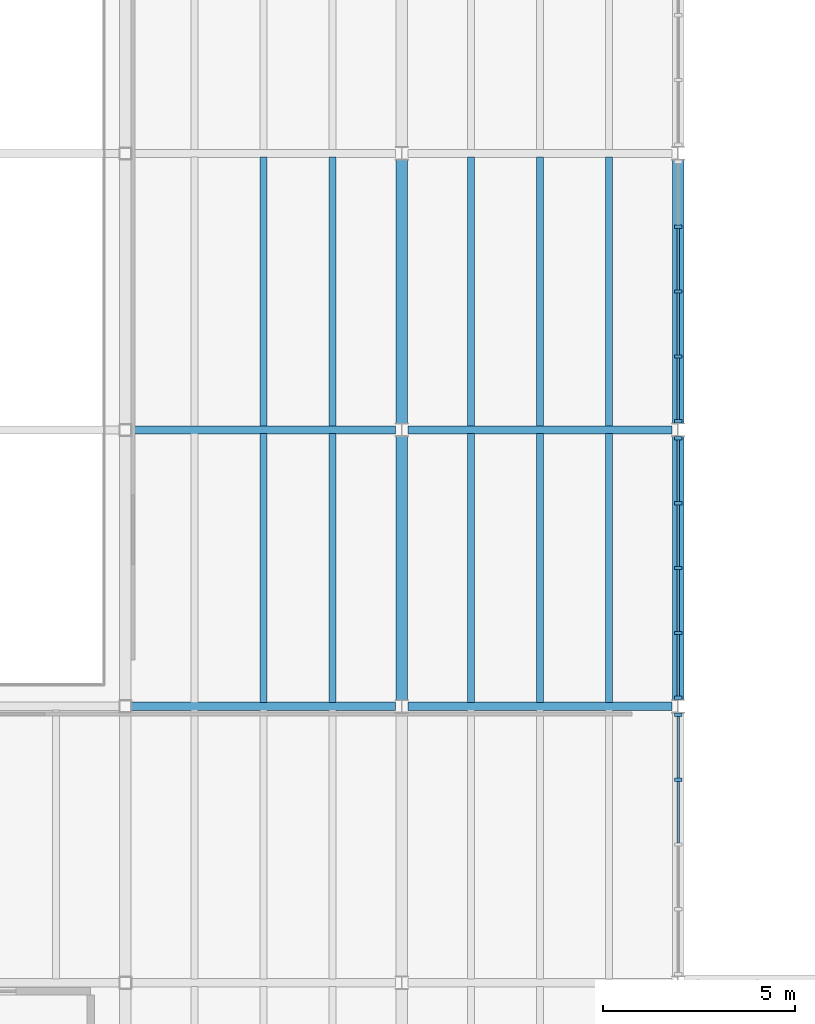
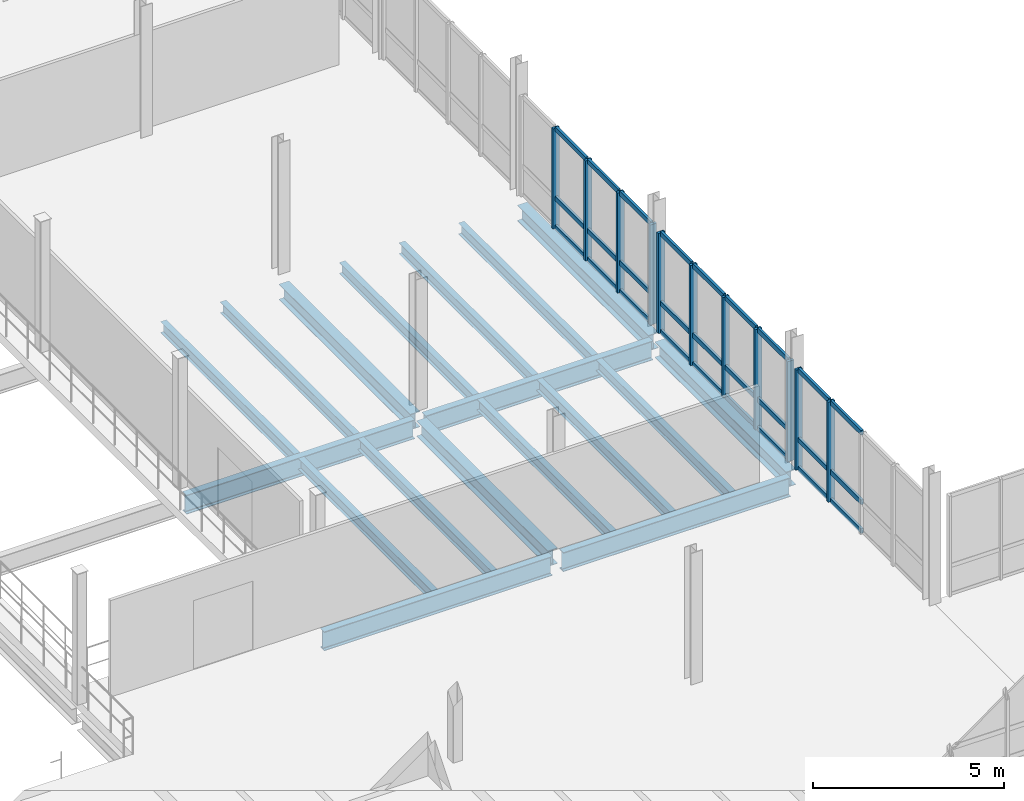
# One storey, part 28 of 72: 38 members, 18 beams, 3 elements without a shape of their own.
"""IFC4 building model written with IfcOpenShell, lengths in metres."""

from ifc_helpers import new_model, si_unit, direction, frame, origin, origin_2d, place, context, subcontext, project, spatial, rectangle, i_section, extrude, material, material_profile, profile_set, type_object, element, aggregate, save


model = new_model("IFC4")

# Units and contexts
model_context = context("Model", 3, precision=1e-05, world=origin(), true_north=direction((0.0, 1.0)))
body_context = subcontext(model_context, "Body", "Model", "MODEL_VIEW")
ifc_project = project(units=[si_unit("LENGTHUNIT", "METRE"), si_unit("AREAUNIT", "SQUARE_METRE"), si_unit("VOLUMEUNIT", "CUBIC_METRE"), si_unit("PLANEANGLEUNIT", "RADIAN"), si_unit("MASSUNIT", "GRAM", prefix="KILO")], contexts=[model_context])

# Site, building, storey
site_placement = place(None, origin())
site = spatial("IfcSite", under=ifc_project, at=site_placement, CompositionType="ELEMENT")
building_placement = place(site_placement, origin())
building = spatial("IfcBuilding", under=site, at=building_placement, Name="Qiaolan Assembly House", CompositionType="ELEMENT")
storey_placement = place(building_placement, frame((0.0, 0.0, 10.199951171875)))
storey = spatial("IfcBuildingStorey", under=building, at=storey_placement, Name="L02", CompositionType="ELEMENT", Elevation=10.199951171875)

# Beams
ifc_material_1 = material(Name="Steel Q355B", Category="steel")
ifc_material_profile_1 = material_profile(ifc_material_1, i_section(OverallWidth=0.300048828125, OverallDepth=0.5, WebThickness=0.010986328125, FlangeThickness=0.01806640625, FilletRadius=0.02001953125, at=origin_2d()), Name="HM 500x300x11x18")
ifc_profile_set_1 = profile_set([ifc_material_profile_1], Name="Steel Q355B")
beam_type_1 = type_object("IfcBeamType", Name="BM-STL-HM500", PredefinedType="BEAM", material=ifc_profile_set_1)
for number, where, z_axis, x_axis, name in (
    (1, (100.800048828125, 50.56494140625, -0.550048828125), (0.0, 1.0, 0.0), (-1.0, 0.0, 0.0), "SB-15 beam BMY-HL-L02-11-02"),
    (2, (100.800048828125, 57.764892578125, -0.550048828125), (0.0, 1.0, 0.0), (-1.0, 0.0, 0.0), "SB-15 beam BMY-HL-L02-11-03"),
    (3, (108.0, 50.56494140625, -0.550048828125), (0.0, 1.0, 0.0), (-1.0, 0.0, 0.0), "SB-15 beam BMY-HL-L02-12-02"),
    (4, (108.0, 57.764892578125, -0.550048828125), (0.0, 1.0, 0.0), (-1.0, 0.0, 0.0), "SB-15 beam BMY-HL-L02-12-03"),
):
    element("IfcBeam", number, at=place(storey_placement, frame(where, z_axis=z_axis, x_axis=x_axis)), inside=storey, type_object=beam_type_1, Name=name, PredefinedType="BEAM", context=body_context, shape_type="SweptSolid", body=[
        extrude(i_section(OverallWidth=0.300048828125, OverallDepth=0.5, WebThickness=0.010986328125, FlangeThickness=0.01806640625, FilletRadius=0.02001953125, at=origin_2d()), origin(), (0.0, 0.0, 1.0), 6.8701171875),
    ])
ifc_material_profile_2 = material_profile(ifc_material_1, i_section(OverallWidth=0.2099609375, OverallDepth=0.610107421875, WebThickness=0.010986328125, FlangeThickness=0.01806640625, FilletRadius=0.02001953125, at=origin_2d()), Name="HN 610x210x11x18")
ifc_profile_set_2 = profile_set([ifc_material_profile_2], Name="Steel Q355B")
beam_type_2 = type_object("IfcBeamType", Name="BM-STL-HN610", PredefinedType="BEAM", material=ifc_profile_set_2)
beam_1_placement = place(storey_placement, frame((93.739990234375, 50.39990234375, -0.60498046875), z_axis=(1.0, 0.0, 0.0), x_axis=(0.0, 1.0, 0.0)))
element("IfcBeam", 5, at=beam_1_placement, inside=storey, type_object=beam_type_2, Name="SB-11 beam BMX-HL-L02-10-02", PredefinedType="BEAM", context=body_context, shape_type="SweptSolid", body=[
    extrude(i_section(OverallWidth=0.2099609375, OverallDepth=0.610107421875, WebThickness=0.010986328125, FlangeThickness=0.01806640625, FilletRadius=0.02001953125, at=origin_2d()), origin(), (0.0, 0.0, 1.0), 6.89501953125),
])
beam_2_placement = place(storey_placement, frame((100.965087890625, 50.39990234375, -0.60498046875), z_axis=(1.0, 0.0, 0.0), x_axis=(0.0, 1.0, 0.0)))
element("IfcBeam", 6, at=beam_2_placement, inside=storey, type_object=beam_type_2, Name="SB-11 beam BMX-HL-L02-11-02", PredefinedType="BEAM", context=body_context, shape_type="SweptSolid", body=[
    extrude(i_section(OverallWidth=0.2099609375, OverallDepth=0.610107421875, WebThickness=0.010986328125, FlangeThickness=0.01806640625, FilletRadius=0.02001953125, at=origin_2d()), origin(), (0.0, 0.0, 1.0), 6.869873046875),
])
beam_3_placement = place(storey_placement, frame((93.739990234375, 57.60009765625, -0.60498046875), z_axis=(1.0, 0.0, 0.0), x_axis=(0.0, 1.0, 0.0)))
element("IfcBeam", 7, at=beam_3_placement, inside=storey, type_object=beam_type_2, Name="SB-11 beam BMX-HL-L02-10-03", PredefinedType="BEAM", context=body_context, shape_type="SweptSolid", body=[
    extrude(i_section(OverallWidth=0.2099609375, OverallDepth=0.610107421875, WebThickness=0.010986328125, FlangeThickness=0.01806640625, FilletRadius=0.02001953125, at=origin_2d()), origin(), (0.0, 0.0, 1.0), 6.89501953125),
])
beam_4_placement = place(storey_placement, frame((100.965087890625, 57.60009765625, -0.60498046875), z_axis=(1.0, 0.0, 0.0), x_axis=(0.0, 1.0, 0.0)))
element("IfcBeam", 8, at=beam_4_placement, inside=storey, type_object=beam_type_2, Name="SB-11 beam BMX-HL-L02-11-03", PredefinedType="BEAM", context=body_context, shape_type="SweptSolid", body=[
    extrude(i_section(OverallWidth=0.2099609375, OverallDepth=0.610107421875, WebThickness=0.010986328125, FlangeThickness=0.01806640625, FilletRadius=0.02001953125, at=origin_2d()), origin(), (0.0, 0.0, 1.0), 6.869873046875),
])

# Curtain wall, members
ifc_material_2 = material(Name="Anodised bronze aluminium", Category="aluminium")
curtain_wall_type = type_object("IfcCurtainWallType", Name="CW-HALL-UPPER-480", PredefinedType="NOTDEFINED", material=ifc_material_2)
curtain_wall_1_placement = place(storey_placement, origin())
curtain_wall_1 = element("IfcCurtainWall", 9, at=curtain_wall_1_placement, inside=storey, type_object=curtain_wall_type, Name="CW-01 Hall East court curtain wall L02-1", PredefinedType="NOTDEFINED")
ifc_material_profile_3 = material_profile(ifc_material_2, rectangle(XDim=0.0859375, YDim=0.199951171875, at=origin_2d()), Name="MUL 86x200")
ifc_profile_set_3 = profile_set([ifc_material_profile_3], Name="Anodised bronze aluminium")
member_type_1 = type_object("IfcMemberType", Name="CW-HALL-UPPER-480-MUL", PredefinedType="MULLION", material=ifc_profile_set_3)
member_1_placement = place(storey_placement, frame((108.0, 50.179931640625, 0.0), z_axis=(0.0, 0.0, 1.0), x_axis=(0.0, -1.0, 0.0)))
member_1 = element("IfcMember", 10, at=member_1_placement, type_object=member_type_1, Name="ML-02 mullion CW-HALL-E-L02-00-1", PredefinedType="MULLION", context=body_context, shape_type="SweptSolid", body=[
    extrude(rectangle(XDim=0.0859375, YDim=0.199951171875, at=origin_2d()), origin(), (0.0, 0.0, 1.0), 3.199951171875),
])
member_2_placement = place(storey_placement, frame((108.0, 48.489990234375, 0.0), z_axis=(0.0, 0.0, 1.0), x_axis=(0.0, -1.0, 0.0)))
member_2 = element("IfcMember", 11, at=member_2_placement, type_object=member_type_1, Name="ML-02 mullion CW-HALL-E-L02-00-2", PredefinedType="MULLION", context=body_context, shape_type="SweptSolid", body=[
    extrude(rectangle(XDim=0.0859375, YDim=0.199951171875, at=origin_2d()), origin(), (0.0, 0.0, 1.0), 3.199951171875),
])

curtain_wall_2_placement = place(storey_placement, origin())
curtain_wall_2 = element("IfcCurtainWall", 12, at=curtain_wall_2_placement, inside=storey, type_object=curtain_wall_type, Name="CW-01 Hall East court curtain wall L02-2", PredefinedType="NOTDEFINED")
member_3_placement = place(storey_placement, frame((108.0, 57.3798828125, 0.0), z_axis=(0.0, 0.0, 1.0), x_axis=(0.0, -1.0, 0.0)))
member_3 = element("IfcMember", 13, at=member_3_placement, type_object=member_type_1, Name="ML-02 mullion CW-HALL-E-L02-01-1", PredefinedType="MULLION", context=body_context, shape_type="SweptSolid", body=[
    extrude(rectangle(XDim=0.0859375, YDim=0.199951171875, at=origin_2d()), origin(), (0.0, 0.0, 1.0), 3.199951171875),
])
member_4_placement = place(storey_placement, frame((108.0, 55.68994140625, 0.0), z_axis=(0.0, 0.0, 1.0), x_axis=(0.0, -1.0, 0.0)))
member_4 = element("IfcMember", 14, at=member_4_placement, type_object=member_type_1, Name="ML-02 mullion CW-HALL-E-L02-01-2", PredefinedType="MULLION", context=body_context, shape_type="SweptSolid", body=[
    extrude(rectangle(XDim=0.0859375, YDim=0.199951171875, at=origin_2d()), origin(), (0.0, 0.0, 1.0), 3.199951171875),
])
member_5_placement = place(storey_placement, frame((108.0, 54.0, 0.0), z_axis=(0.0, 0.0, 1.0), x_axis=(0.0, -1.0, 0.0)))
member_5 = element("IfcMember", 15, at=member_5_placement, type_object=member_type_1, Name="ML-02 mullion CW-HALL-E-L02-01-3", PredefinedType="MULLION", context=body_context, shape_type="SweptSolid", body=[
    extrude(rectangle(XDim=0.0859375, YDim=0.199951171875, at=origin_2d()), origin(), (0.0, 0.0, 1.0), 3.199951171875),
])
member_6_placement = place(storey_placement, frame((108.0, 52.31005859375, 0.0), z_axis=(0.0, 0.0, 1.0), x_axis=(0.0, -1.0, 0.0)))
member_6 = element("IfcMember", 16, at=member_6_placement, type_object=member_type_1, Name="ML-02 mullion CW-HALL-E-L02-01-4", PredefinedType="MULLION", context=body_context, shape_type="SweptSolid", body=[
    extrude(rectangle(XDim=0.0859375, YDim=0.199951171875, at=origin_2d()), origin(), (0.0, 0.0, 1.0), 3.199951171875),
])
member_7_placement = place(storey_placement, frame((108.0, 50.6201171875, 0.0), z_axis=(0.0, 0.0, 1.0), x_axis=(0.0, -1.0, 0.0)))
member_7 = element("IfcMember", 17, at=member_7_placement, type_object=member_type_1, Name="ML-02 mullion CW-HALL-E-L02-01-5", PredefinedType="MULLION", context=body_context, shape_type="SweptSolid", body=[
    extrude(rectangle(XDim=0.0859375, YDim=0.199951171875, at=origin_2d()), origin(), (0.0, 0.0, 1.0), 3.199951171875),
])

curtain_wall_3_placement = place(storey_placement, origin())
curtain_wall_3 = element("IfcCurtainWall", 18, at=curtain_wall_3_placement, inside=storey, type_object=curtain_wall_type, Name="CW-01 Hall East court curtain wall L02-3", PredefinedType="NOTDEFINED")
member_8_placement = place(storey_placement, frame((108.0, 62.889892578125, 0.0), z_axis=(0.0, 0.0, 1.0), x_axis=(0.0, -1.0, 0.0)))
member_8 = element("IfcMember", 19, at=member_8_placement, type_object=member_type_1, Name="ML-02 mullion CW-HALL-E-L02-02-2", PredefinedType="MULLION", context=body_context, shape_type="SweptSolid", body=[
    extrude(rectangle(XDim=0.0859375, YDim=0.199951171875, at=origin_2d()), origin(), (0.0, 0.0, 1.0), 3.199951171875),
])
member_9_placement = place(storey_placement, frame((108.0, 61.199951171875, 0.0), z_axis=(0.0, 0.0, 1.0), x_axis=(0.0, -1.0, 0.0)))
member_9 = element("IfcMember", 20, at=member_9_placement, type_object=member_type_1, Name="ML-02 mullion CW-HALL-E-L02-02-3", PredefinedType="MULLION", context=body_context, shape_type="SweptSolid", body=[
    extrude(rectangle(XDim=0.0859375, YDim=0.199951171875, at=origin_2d()), origin(), (0.0, 0.0, 1.0), 3.199951171875),
])
member_10_placement = place(storey_placement, frame((108.0, 59.510009765625, 0.0), z_axis=(0.0, 0.0, 1.0), x_axis=(0.0, -1.0, 0.0)))
member_10 = element("IfcMember", 21, at=member_10_placement, type_object=member_type_1, Name="ML-02 mullion CW-HALL-E-L02-02-4", PredefinedType="MULLION", context=body_context, shape_type="SweptSolid", body=[
    extrude(rectangle(XDim=0.0859375, YDim=0.199951171875, at=origin_2d()), origin(), (0.0, 0.0, 1.0), 3.199951171875),
])
member_11_placement = place(storey_placement, frame((108.0, 57.820068359375, 0.0), z_axis=(0.0, 0.0, 1.0), x_axis=(0.0, -1.0, 0.0)))
member_11 = element("IfcMember", 22, at=member_11_placement, type_object=member_type_1, Name="ML-02 mullion CW-HALL-E-L02-02-5", PredefinedType="MULLION", context=body_context, shape_type="SweptSolid", body=[
    extrude(rectangle(XDim=0.0859375, YDim=0.199951171875, at=origin_2d()), origin(), (0.0, 0.0, 1.0), 3.199951171875),
])

# Member
ifc_material_profile_4 = material_profile(ifc_material_2, rectangle(XDim=0.075927734375, YDim=0.14990234375, at=origin_2d()), Name="TRN 76x150")
ifc_profile_set_4 = profile_set([ifc_material_profile_4], Name="Anodised bronze aluminium")
member_type_2 = type_object("IfcMemberType", Name="CW-HALL-UPPER-480-TRN", PredefinedType="USERDEFINED", material=ifc_profile_set_4)
member_12_placement = place(storey_placement, frame((108.0, 50.136962890625, 0.030029296875), z_axis=(0.0, -1.0, 0.0), x_axis=(1.0, 0.0, 0.0)))
member_12 = element("IfcMember", 23, at=member_12_placement, type_object=member_type_2, Name="TR-02 transom CW-HALL-E-L02-00-1-1", ObjectType="TRANSOM", PredefinedType="USERDEFINED", context=body_context, shape_type="SweptSolid", body=[
    extrude(rectangle(XDim=0.075927734375, YDim=0.14990234375, at=origin_2d()), origin(), (0.0, 0.0, 1.0), 1.60400390625),
])

member_13_placement = place(storey_placement, frame((108.0, 50.136962890625, 0.949951171875), z_axis=(0.0, -1.0, 0.0), x_axis=(1.0, 0.0, 0.0)))
member_13 = element("IfcMember", 24, at=member_13_placement, type_object=member_type_2, Name="TR-02 transom CW-HALL-E-L02-00-1-2", ObjectType="TRANSOM", PredefinedType="USERDEFINED", context=body_context, shape_type="SweptSolid", body=[
    extrude(rectangle(XDim=0.075927734375, YDim=0.14990234375, at=origin_2d()), origin(), (0.0, 0.0, 1.0), 1.60400390625),
])

member_14_placement = place(storey_placement, frame((108.0, 50.136962890625, 3.170166015625), z_axis=(0.0, -1.0, 0.0), x_axis=(1.0, 0.0, 0.0)))
member_14 = element("IfcMember", 25, at=member_14_placement, type_object=member_type_2, Name="TR-02 transom CW-HALL-E-L02-00-1-3", ObjectType="TRANSOM", PredefinedType="USERDEFINED", context=body_context, shape_type="SweptSolid", body=[
    extrude(rectangle(XDim=0.075927734375, YDim=0.14990234375, at=origin_2d()), origin(), (0.0, 0.0, 1.0), 1.60400390625),
])

member_15_placement = place(storey_placement, frame((108.0, 48.447021484375, 0.030029296875), z_axis=(0.0, -1.0, 0.0), x_axis=(1.0, 0.0, 0.0)))
member_15 = element("IfcMember", 26, at=member_15_placement, type_object=member_type_2, Name="TR-02 transom CW-HALL-E-L02-00-2-1", ObjectType="TRANSOM", PredefinedType="USERDEFINED", context=body_context, shape_type="SweptSolid", body=[
    extrude(rectangle(XDim=0.075927734375, YDim=0.14990234375, at=origin_2d()), origin(), (0.0, 0.0, 1.0), 1.60400390625),
])

member_16_placement = place(storey_placement, frame((108.0, 48.447021484375, 0.949951171875), z_axis=(0.0, -1.0, 0.0), x_axis=(1.0, 0.0, 0.0)))
member_16 = element("IfcMember", 27, at=member_16_placement, type_object=member_type_2, Name="TR-02 transom CW-HALL-E-L02-00-2-2", ObjectType="TRANSOM", PredefinedType="USERDEFINED", context=body_context, shape_type="SweptSolid", body=[
    extrude(rectangle(XDim=0.075927734375, YDim=0.14990234375, at=origin_2d()), origin(), (0.0, 0.0, 1.0), 1.60400390625),
])

member_17_placement = place(storey_placement, frame((108.0, 48.447021484375, 3.170166015625), z_axis=(0.0, -1.0, 0.0), x_axis=(1.0, 0.0, 0.0)))
member_17 = element("IfcMember", 28, at=member_17_placement, type_object=member_type_2, Name="TR-02 transom CW-HALL-E-L02-00-2-3", ObjectType="TRANSOM", PredefinedType="USERDEFINED", context=body_context, shape_type="SweptSolid", body=[
    extrude(rectangle(XDim=0.075927734375, YDim=0.14990234375, at=origin_2d()), origin(), (0.0, 0.0, 1.0), 1.60400390625),
])

aggregate(curtain_wall_1, [member_1, member_2, member_12, member_13, member_14, member_15, member_16, member_17])

member_18_placement = place(storey_placement, frame((108.0, 57.3369140625, 0.030029296875), z_axis=(0.0, -1.0, 0.0), x_axis=(1.0, 0.0, 0.0)))
member_18 = element("IfcMember", 29, at=member_18_placement, type_object=member_type_2, Name="TR-02 transom CW-HALL-E-L02-01-1-1", ObjectType="TRANSOM", PredefinedType="USERDEFINED", context=body_context, shape_type="SweptSolid", body=[
    extrude(rectangle(XDim=0.075927734375, YDim=0.14990234375, at=origin_2d()), origin(), (0.0, 0.0, 1.0), 1.60400390625),
])

member_19_placement = place(storey_placement, frame((108.0, 57.3369140625, 0.949951171875), z_axis=(0.0, -1.0, 0.0), x_axis=(1.0, 0.0, 0.0)))
member_19 = element("IfcMember", 30, at=member_19_placement, type_object=member_type_2, Name="TR-02 transom CW-HALL-E-L02-01-1-2", ObjectType="TRANSOM", PredefinedType="USERDEFINED", context=body_context, shape_type="SweptSolid", body=[
    extrude(rectangle(XDim=0.075927734375, YDim=0.14990234375, at=origin_2d()), origin(), (0.0, 0.0, 1.0), 1.60400390625),
])

member_20_placement = place(storey_placement, frame((108.0, 57.3369140625, 3.170166015625), z_axis=(0.0, -1.0, 0.0), x_axis=(1.0, 0.0, 0.0)))
member_20 = element("IfcMember", 31, at=member_20_placement, type_object=member_type_2, Name="TR-02 transom CW-HALL-E-L02-01-1-3", ObjectType="TRANSOM", PredefinedType="USERDEFINED", context=body_context, shape_type="SweptSolid", body=[
    extrude(rectangle(XDim=0.075927734375, YDim=0.14990234375, at=origin_2d()), origin(), (0.0, 0.0, 1.0), 1.60400390625),
])

member_21_placement = place(storey_placement, frame((108.0, 55.64697265625, 0.030029296875), z_axis=(0.0, -1.0, 0.0), x_axis=(1.0, 0.0, 0.0)))
member_21 = element("IfcMember", 32, at=member_21_placement, type_object=member_type_2, Name="TR-02 transom CW-HALL-E-L02-01-2-1", ObjectType="TRANSOM", PredefinedType="USERDEFINED", context=body_context, shape_type="SweptSolid", body=[
    extrude(rectangle(XDim=0.075927734375, YDim=0.14990234375, at=origin_2d()), origin(), (0.0, 0.0, 1.0), 1.60400390625),
])

member_22_placement = place(storey_placement, frame((108.0, 55.64697265625, 0.949951171875), z_axis=(0.0, -1.0, 0.0), x_axis=(1.0, 0.0, 0.0)))
member_22 = element("IfcMember", 33, at=member_22_placement, type_object=member_type_2, Name="TR-02 transom CW-HALL-E-L02-01-2-2", ObjectType="TRANSOM", PredefinedType="USERDEFINED", context=body_context, shape_type="SweptSolid", body=[
    extrude(rectangle(XDim=0.075927734375, YDim=0.14990234375, at=origin_2d()), origin(), (0.0, 0.0, 1.0), 1.60400390625),
])

member_23_placement = place(storey_placement, frame((108.0, 55.64697265625, 3.170166015625), z_axis=(0.0, -1.0, 0.0), x_axis=(1.0, 0.0, 0.0)))
member_23 = element("IfcMember", 34, at=member_23_placement, type_object=member_type_2, Name="TR-02 transom CW-HALL-E-L02-01-2-3", ObjectType="TRANSOM", PredefinedType="USERDEFINED", context=body_context, shape_type="SweptSolid", body=[
    extrude(rectangle(XDim=0.075927734375, YDim=0.14990234375, at=origin_2d()), origin(), (0.0, 0.0, 1.0), 1.60400390625),
])

member_24_placement = place(storey_placement, frame((108.0, 53.95703125, 0.030029296875), z_axis=(0.0, -1.0, 0.0), x_axis=(1.0, 0.0, 0.0)))
member_24 = element("IfcMember", 35, at=member_24_placement, type_object=member_type_2, Name="TR-02 transom CW-HALL-E-L02-01-3-1", ObjectType="TRANSOM", PredefinedType="USERDEFINED", context=body_context, shape_type="SweptSolid", body=[
    extrude(rectangle(XDim=0.075927734375, YDim=0.14990234375, at=origin_2d()), origin(), (0.0, 0.0, 1.0), 1.60400390625),
])

member_25_placement = place(storey_placement, frame((108.0, 53.95703125, 0.949951171875), z_axis=(0.0, -1.0, 0.0), x_axis=(1.0, 0.0, 0.0)))
member_25 = element("IfcMember", 36, at=member_25_placement, type_object=member_type_2, Name="TR-02 transom CW-HALL-E-L02-01-3-2", ObjectType="TRANSOM", PredefinedType="USERDEFINED", context=body_context, shape_type="SweptSolid", body=[
    extrude(rectangle(XDim=0.075927734375, YDim=0.14990234375, at=origin_2d()), origin(), (0.0, 0.0, 1.0), 1.60400390625),
])

member_26_placement = place(storey_placement, frame((108.0, 53.95703125, 3.170166015625), z_axis=(0.0, -1.0, 0.0), x_axis=(1.0, 0.0, 0.0)))
member_26 = element("IfcMember", 37, at=member_26_placement, type_object=member_type_2, Name="TR-02 transom CW-HALL-E-L02-01-3-3", ObjectType="TRANSOM", PredefinedType="USERDEFINED", context=body_context, shape_type="SweptSolid", body=[
    extrude(rectangle(XDim=0.075927734375, YDim=0.14990234375, at=origin_2d()), origin(), (0.0, 0.0, 1.0), 1.60400390625),
])

member_27_placement = place(storey_placement, frame((108.0, 52.26708984375, 0.030029296875), z_axis=(0.0, -1.0, 0.0), x_axis=(1.0, 0.0, 0.0)))
member_27 = element("IfcMember", 38, at=member_27_placement, type_object=member_type_2, Name="TR-02 transom CW-HALL-E-L02-01-4-1", ObjectType="TRANSOM", PredefinedType="USERDEFINED", context=body_context, shape_type="SweptSolid", body=[
    extrude(rectangle(XDim=0.075927734375, YDim=0.14990234375, at=origin_2d()), origin(), (0.0, 0.0, 1.0), 1.60400390625),
])

member_28_placement = place(storey_placement, frame((108.0, 52.26708984375, 0.949951171875), z_axis=(0.0, -1.0, 0.0), x_axis=(1.0, 0.0, 0.0)))
member_28 = element("IfcMember", 39, at=member_28_placement, type_object=member_type_2, Name="TR-02 transom CW-HALL-E-L02-01-4-2", ObjectType="TRANSOM", PredefinedType="USERDEFINED", context=body_context, shape_type="SweptSolid", body=[
    extrude(rectangle(XDim=0.075927734375, YDim=0.14990234375, at=origin_2d()), origin(), (0.0, 0.0, 1.0), 1.60400390625),
])

member_29_placement = place(storey_placement, frame((108.0, 52.26708984375, 3.170166015625), z_axis=(0.0, -1.0, 0.0), x_axis=(1.0, 0.0, 0.0)))
member_29 = element("IfcMember", 40, at=member_29_placement, type_object=member_type_2, Name="TR-02 transom CW-HALL-E-L02-01-4-3", ObjectType="TRANSOM", PredefinedType="USERDEFINED", context=body_context, shape_type="SweptSolid", body=[
    extrude(rectangle(XDim=0.075927734375, YDim=0.14990234375, at=origin_2d()), origin(), (0.0, 0.0, 1.0), 1.60400390625),
])

aggregate(curtain_wall_2, [member_3, member_4, member_5, member_6, member_7, member_18, member_19, member_20, member_21, member_22, member_23, member_24, member_25, member_26, member_27, member_28, member_29])

member_30_placement = place(storey_placement, frame((108.0, 62.846923828125, 0.030029296875), z_axis=(0.0, -1.0, 0.0), x_axis=(1.0, 0.0, 0.0)))
member_30 = element("IfcMember", 41, at=member_30_placement, type_object=member_type_2, Name="TR-02 transom CW-HALL-E-L02-02-2-1", ObjectType="TRANSOM", PredefinedType="USERDEFINED", context=body_context, shape_type="SweptSolid", body=[
    extrude(rectangle(XDim=0.075927734375, YDim=0.14990234375, at=origin_2d()), origin(), (0.0, 0.0, 1.0), 1.60400390625),
])

member_31_placement = place(storey_placement, frame((108.0, 62.846923828125, 0.949951171875), z_axis=(0.0, -1.0, 0.0), x_axis=(1.0, 0.0, 0.0)))
member_31 = element("IfcMember", 42, at=member_31_placement, type_object=member_type_2, Name="TR-02 transom CW-HALL-E-L02-02-2-2", ObjectType="TRANSOM", PredefinedType="USERDEFINED", context=body_context, shape_type="SweptSolid", body=[
    extrude(rectangle(XDim=0.075927734375, YDim=0.14990234375, at=origin_2d()), origin(), (0.0, 0.0, 1.0), 1.60400390625),
])

member_32_placement = place(storey_placement, frame((108.0, 62.846923828125, 3.170166015625), z_axis=(0.0, -1.0, 0.0), x_axis=(1.0, 0.0, 0.0)))
member_32 = element("IfcMember", 43, at=member_32_placement, type_object=member_type_2, Name="TR-02 transom CW-HALL-E-L02-02-2-3", ObjectType="TRANSOM", PredefinedType="USERDEFINED", context=body_context, shape_type="SweptSolid", body=[
    extrude(rectangle(XDim=0.075927734375, YDim=0.14990234375, at=origin_2d()), origin(), (0.0, 0.0, 1.0), 1.60400390625),
])

member_33_placement = place(storey_placement, frame((108.0, 61.156982421875, 0.030029296875), z_axis=(0.0, -1.0, 0.0), x_axis=(1.0, 0.0, 0.0)))
member_33 = element("IfcMember", 44, at=member_33_placement, type_object=member_type_2, Name="TR-02 transom CW-HALL-E-L02-02-3-1", ObjectType="TRANSOM", PredefinedType="USERDEFINED", context=body_context, shape_type="SweptSolid", body=[
    extrude(rectangle(XDim=0.075927734375, YDim=0.14990234375, at=origin_2d()), origin(), (0.0, 0.0, 1.0), 1.60400390625),
])

member_34_placement = place(storey_placement, frame((108.0, 61.156982421875, 0.949951171875), z_axis=(0.0, -1.0, 0.0), x_axis=(1.0, 0.0, 0.0)))
member_34 = element("IfcMember", 45, at=member_34_placement, type_object=member_type_2, Name="TR-02 transom CW-HALL-E-L02-02-3-2", ObjectType="TRANSOM", PredefinedType="USERDEFINED", context=body_context, shape_type="SweptSolid", body=[
    extrude(rectangle(XDim=0.075927734375, YDim=0.14990234375, at=origin_2d()), origin(), (0.0, 0.0, 1.0), 1.60400390625),
])

member_35_placement = place(storey_placement, frame((108.0, 61.156982421875, 3.170166015625), z_axis=(0.0, -1.0, 0.0), x_axis=(1.0, 0.0, 0.0)))
member_35 = element("IfcMember", 46, at=member_35_placement, type_object=member_type_2, Name="TR-02 transom CW-HALL-E-L02-02-3-3", ObjectType="TRANSOM", PredefinedType="USERDEFINED", context=body_context, shape_type="SweptSolid", body=[
    extrude(rectangle(XDim=0.075927734375, YDim=0.14990234375, at=origin_2d()), origin(), (0.0, 0.0, 1.0), 1.60400390625),
])

member_36_placement = place(storey_placement, frame((108.0, 59.467041015625, 0.030029296875), z_axis=(0.0, -1.0, 0.0), x_axis=(1.0, 0.0, 0.0)))
member_36 = element("IfcMember", 47, at=member_36_placement, type_object=member_type_2, Name="TR-02 transom CW-HALL-E-L02-02-4-1", ObjectType="TRANSOM", PredefinedType="USERDEFINED", context=body_context, shape_type="SweptSolid", body=[
    extrude(rectangle(XDim=0.075927734375, YDim=0.14990234375, at=origin_2d()), origin(), (0.0, 0.0, 1.0), 1.60400390625),
])

member_37_placement = place(storey_placement, frame((108.0, 59.467041015625, 0.949951171875), z_axis=(0.0, -1.0, 0.0), x_axis=(1.0, 0.0, 0.0)))
member_37 = element("IfcMember", 48, at=member_37_placement, type_object=member_type_2, Name="TR-02 transom CW-HALL-E-L02-02-4-2", ObjectType="TRANSOM", PredefinedType="USERDEFINED", context=body_context, shape_type="SweptSolid", body=[
    extrude(rectangle(XDim=0.075927734375, YDim=0.14990234375, at=origin_2d()), origin(), (0.0, 0.0, 1.0), 1.60400390625),
])

member_38_placement = place(storey_placement, frame((108.0, 59.467041015625, 3.170166015625), z_axis=(0.0, -1.0, 0.0), x_axis=(1.0, 0.0, 0.0)))
member_38 = element("IfcMember", 49, at=member_38_placement, type_object=member_type_2, Name="TR-02 transom CW-HALL-E-L02-02-4-3", ObjectType="TRANSOM", PredefinedType="USERDEFINED", context=body_context, shape_type="SweptSolid", body=[
    extrude(rectangle(XDim=0.075927734375, YDim=0.14990234375, at=origin_2d()), origin(), (0.0, 0.0, 1.0), 1.60400390625),
])

aggregate(curtain_wall_3, [member_8, member_9, member_10, member_11, member_30, member_31, member_32, member_33, member_34, member_35, member_36, member_37, member_38])

# Beams
ifc_material_profile_5 = material_profile(ifc_material_1, i_section(OverallWidth=0.179931640625, OverallDepth=0.35498046875, WebThickness=0.007568359375, FlangeThickness=0.011474609375, FilletRadius=0.013916015625, at=origin_2d()), Name="HM 355x180x7.5x11.5")
ifc_profile_set_5 = profile_set([ifc_material_profile_5], Name="Steel Q355B")
beam_type_3 = type_object("IfcBeamType", Name="JST-STL-HM355", PredefinedType="JOIST", material=ifc_profile_set_5)
for number, where, z_axis, x_axis, name in (
    (50, (97.199951171875, 50.4990234375, -0.4775390625), (0.0, 1.0, 0.0), (-1.0, 0.0, 0.0), "SJ-04 beam JST-HL-L02-10-02-2"),
    (51, (99.0, 50.4990234375, -0.4775390625), (0.0, 1.0, 0.0), (-1.0, 0.0, 0.0), "SJ-04 beam JST-HL-L02-10-02-3"),
    (52, (97.199951171875, 57.698974609375, -0.4775390625), (0.0, 1.0, 0.0), (-1.0, 0.0, 0.0), "SJ-04 beam JST-HL-L02-10-03-2"),
    (53, (99.0, 57.698974609375, -0.4775390625), (0.0, 1.0, 0.0), (-1.0, 0.0, 0.0), "SJ-04 beam JST-HL-L02-10-03-3"),
    (54, (102.60009765625, 50.4990234375, -0.4775390625), (0.0, 1.0, 0.0), (-1.0, 0.0, 0.0), "SJ-04 beam JST-HL-L02-11-02-1"),
    (55, (104.39990234375, 50.4990234375, -0.4775390625), (0.0, 1.0, 0.0), (-1.0, 0.0, 0.0), "SJ-04 beam JST-HL-L02-11-02-2"),
    (56, (106.199951171875, 50.4990234375, -0.4775390625), (0.0, 1.0, 0.0), (-1.0, 0.0, 0.0), "SJ-04 beam JST-HL-L02-11-02-3"),
    (57, (102.60009765625, 57.698974609375, -0.4775390625), (0.0, 1.0, 0.0), (-1.0, 0.0, 0.0), "SJ-04 beam JST-HL-L02-11-03-1"),
    (58, (104.39990234375, 57.698974609375, -0.4775390625), (0.0, 1.0, 0.0), (-1.0, 0.0, 0.0), "SJ-04 beam JST-HL-L02-11-03-2"),
    (59, (106.199951171875, 57.698974609375, -0.4775390625), (0.0, 1.0, 0.0), (-1.0, 0.0, 0.0), "SJ-04 beam JST-HL-L02-11-03-3"),
):
    element("IfcBeam", number, at=place(storey_placement, frame(where, z_axis=z_axis, x_axis=x_axis)), inside=storey, type_object=beam_type_3, Name=name, PredefinedType="JOIST", context=body_context, shape_type="SweptSolid", body=[
        extrude(i_section(OverallWidth=0.179931640625, OverallDepth=0.35498046875, WebThickness=0.007568359375, FlangeThickness=0.011474609375, FilletRadius=0.013916015625, at=origin_2d()), origin(), (0.0, 0.0, 1.0), 7.001953125),
    ])

save(model, "model.ifc")
